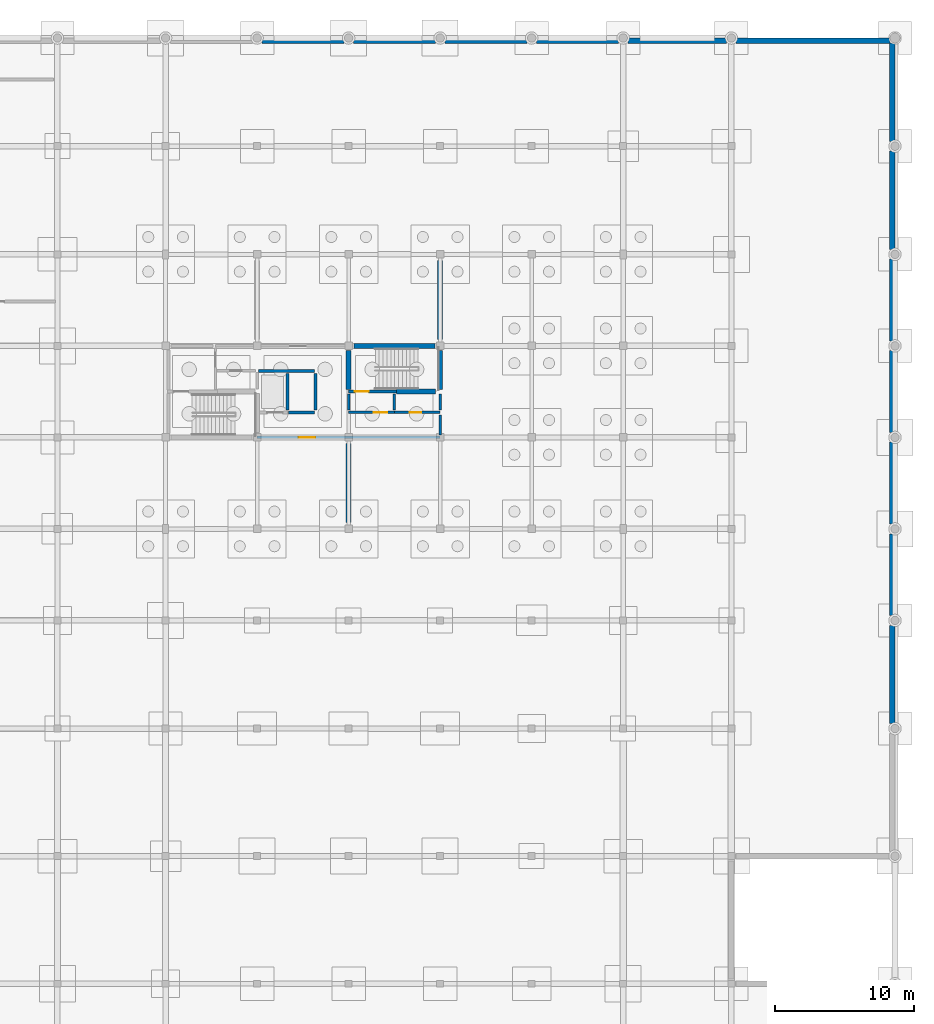
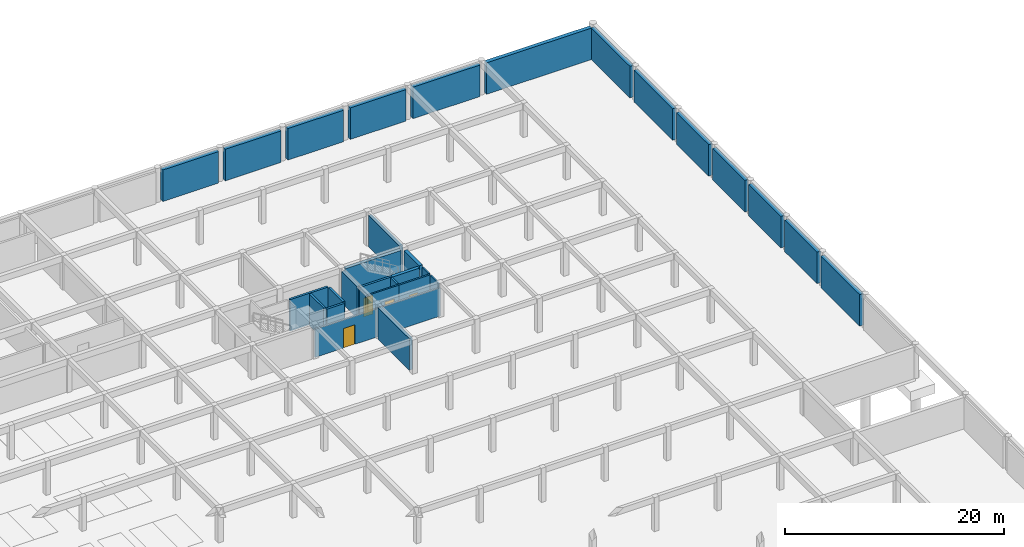
# One storey, part 31 of 37: 31 walls, 4 doors, 4 openings.
"""IFC4 building model written with IfcOpenShell, lengths in metres."""

from ifc_helpers import new_model, si_unit, direction, frame, frame_2d, origin, place, context, subcontext, project, spatial, rectangle, extrude, material, layer, layer_set, type_object, element, fill, save


model = new_model("IFC4")

# Units and contexts
model_context = context("Model", 3, precision=1e-05, world=origin(), true_north=direction((0.0, 1.0)))
body_context = subcontext(model_context, "Body", "Model", "MODEL_VIEW")
ifc_project = project(units=[si_unit("LENGTHUNIT", "METRE"), si_unit("AREAUNIT", "SQUARE_METRE"), si_unit("VOLUMEUNIT", "CUBIC_METRE"), si_unit("PLANEANGLEUNIT", "RADIAN"), si_unit("MASSUNIT", "GRAM", prefix="KILO")], contexts=[model_context])

# Site, building, storey
site_placement = place(None, origin())
site = spatial("IfcSite", under=ifc_project, at=site_placement, CompositionType="ELEMENT")
building_placement = place(site_placement, origin())
building = spatial("IfcBuilding", under=site, at=building_placement, Name="Kernevlak Ridge Housing Community", CompositionType="ELEMENT")
storey_placement = place(building_placement, frame((0.0, 0.0, -3.800048828125)))
storey = spatial("IfcBuildingStorey", under=building, at=storey_placement, Name="B1", CompositionType="ELEMENT", Elevation=-3.800048828125)

# Walls
ifc_material_1 = material(Name="Concrete C35/45", Category="concrete")
ifc_layer_1 = layer(ifc_material_1, 0.22509765625, Name="Concrete C35/45")
ifc_layer_set_1 = layer_set([ifc_layer_1], Name="Concrete C35/45")
wall_type_1 = type_object("IfcWallType", Name="PW-01", PredefinedType="STANDARD", material=ifc_layer_set_1)
wall_1_placement = place(storey_placement, frame((128.280029296875, 91.0, 0.0), z_axis=(0.0, 0.0, 1.0), x_axis=(1.0, 0.0, 0.0)))
element("IfcWall", 1, at=wall_1_placement, inside=storey, type_object=wall_type_1, Name="Interior wall PW-01 WAL-INT-B1-1141", PredefinedType="STANDARD", context=body_context, shape_type="SweptSolid", body=[
    extrude(rectangle(XDim=1.840087890625, YDim=0.22509765625, at=frame_2d((0.919921875, 0.0))), origin(), (0.0, 0.0, 1.0), 3.52001953125),
])
wall_2_placement = place(storey_placement, frame((126.097412109375, 94.0, 0.0), z_axis=(0.0, 0.0, 1.0), x_axis=(1.0, 0.0, 0.0)))
element("IfcWall", 2, at=wall_2_placement, inside=storey, type_object=wall_type_1, Name="Interior wall PW-01 WAL-INT-B1-1142", PredefinedType="STANDARD", context=body_context, shape_type="SweptSolid", body=[
    extrude(rectangle(XDim=4.022705078125, YDim=0.22509765625, at=frame_2d((2.01123046875, 0.0))), origin(), (0.0, 0.0, 1.0), 3.52001953125),
])
for number, where, z_axis, x_axis, name in (
    (3, (128.199951171875, 91.179931640625, 0.0), (0.0, 0.0, 1.0), (0.0, 1.0, 0.0), "Interior wall PW-01 WAL-INT-B1-1144"),
    (4, (130.199951171875, 91.179931640625, 0.0), (0.0, 0.0, 1.0), (0.0, 1.0, 0.0), "Interior wall PW-01 WAL-INT-B1-1145"),
):
    element("IfcWall", number, at=place(storey_placement, frame(where, z_axis=z_axis, x_axis=x_axis)), inside=storey, type_object=wall_type_1, Name=name, PredefinedType="STANDARD", context=body_context, shape_type="SweptSolid", body=[
        extrude(rectangle(XDim=2.64013671875, YDim=0.22509765625, at=frame_2d((1.320068359375, 0.0))), origin(), (0.0, 0.0, 1.0), 3.52001953125),
    ])

# Wall, opening, door
wall_3_placement = place(storey_placement, frame((132.60009765625, 92.5, 0.0), z_axis=(0.0, 0.0, 1.0), x_axis=(1.0, 0.0, 0.0)))
wall_3 = element("IfcWall", 5, at=wall_3_placement, inside=storey, type_object=wall_type_1, Name="Interior wall PW-01 WAL-INT-B1-1146", PredefinedType="STANDARD", context=body_context, shape_type="SweptSolid", body=[
    extrude(rectangle(XDim=3.449951171875, YDim=0.22509765625, at=frame_2d((1.72509765625, 0.0))), origin(), (0.0, 0.0, 1.0), 3.52001953125),
])
opening_1_placement = place(wall_3_placement, frame((0.449951171875, 0.0, 0.0)))
opening_1 = element("IfcOpeningElement", 6, at=opening_1_placement, cuts=wall_3, Name="Opening D580", PredefinedType="OPENING", context=body_context, shape_type="SweptSolid", body=[
    extrude(rectangle(XDim=1.0, YDim=2.10009765625, at=frame_2d((0.5, 1.050048828125))), frame((0.0, 0.12255859375, 0.0), z_axis=(0.0, -1.0, 0.0), x_axis=(1.0, 0.0, 0.0)), (0.0, 0.0, 1.0), 0.2451171875),
])
ifc_material_2 = material(Name="Fire-rated sheet steel leaf", Category="steel")
door_type_1 = type_object("IfcDoorType", Name="DT-05", OperationType="NOTDEFINED", PredefinedType="DOOR", material=ifc_material_2)
door_1_placement = place(opening_1_placement, origin())
door_1 = element("IfcDoor", 7, at=door_1_placement, inside=storey, type_object=door_type_1, Name="Block B Stair 2 fire door D580", OperationType="SINGLE_SWING_RIGHT", OverallHeight=2.10009765625, OverallWidth=1.0, PredefinedType="DOOR", context=body_context, shape_type="SweptSolid", body=[
    extrude(rectangle(XDim=1.0, YDim=2.10009765625, at=frame_2d((0.5, 1.050048828125))), frame((0.0, 0.02490234375, 0.0), z_axis=(0.0, -1.0, 0.0), x_axis=(1.0, 0.0, 0.0)), (0.0, 0.0, 1.0), 0.050048828125),
])
fill(opening_1, door_1)

ifc_material_3 = material(Name="Concrete block masonry M10", Category="masonry")
ifc_layer_2 = layer(ifc_material_3, 0.175048828125, Name="Concrete block masonry M10")
ifc_layer_set_2 = layer_set([ifc_layer_2], Name="Concrete block masonry M10")
wall_type_2 = type_object("IfcWallType", Name="PW-02", PredefinedType="PARTITIONING", material=ifc_layer_set_2)
wall_4_placement = place(storey_placement, frame((132.60009765625, 91.0, 0.0), z_axis=(0.0, 0.0, 1.0), x_axis=(1.0, 0.0, 0.0)))
wall_4 = element("IfcWall", 8, at=wall_4_placement, inside=storey, type_object=wall_type_2, Name="Interior wall PW-02 WAL-INT-B1-1147", PredefinedType="PARTITIONING", context=body_context, shape_type="SweptSolid", body=[
    extrude(rectangle(XDim=3.2998046875, YDim=0.175048828125, at=frame_2d((1.64990234375, 0.0))), origin(), (0.0, 0.0, 1.0), 3.52001953125),
])
opening_2_placement = place(wall_4_placement, frame((1.800048828125, 0.0, 0.0)))
opening_2 = element("IfcOpeningElement", 9, at=opening_2_placement, cuts=wall_4, Name="Opening D581", PredefinedType="OPENING", context=body_context, shape_type="SweptSolid", body=[
    extrude(rectangle(XDim=1.0, YDim=2.159912109375, at=frame_2d((0.5, 1.080078125))), frame((0.0, 0.097412109375, 0.0), z_axis=(0.0, -1.0, 0.0), x_axis=(1.0, 0.0, 0.0)), (0.0, 0.0, 1.0), 0.195068359375),
])
door_type_2 = type_object("IfcDoorType", Name="DT-15", OperationType="NOTDEFINED", PredefinedType="DOOR", material=ifc_material_2)
door_2_placement = place(opening_2_placement, origin())
door_2 = element("IfcDoor", 10, at=door_2_placement, inside=storey, type_object=door_type_2, Name="Block B Firefighting lobby 2 door D581", OperationType="SINGLE_SWING_LEFT", OverallHeight=2.159912109375, OverallWidth=1.0, PredefinedType="DOOR", context=body_context, shape_type="SweptSolid", body=[
    extrude(rectangle(XDim=1.0, YDim=2.159912109375, at=frame_2d((0.5, 1.080078125))), frame((0.0, 0.02490234375, 0.0), z_axis=(0.0, -1.0, 0.0), x_axis=(1.0, 0.0, 0.0)), (0.0, 0.0, 1.0), 0.050048828125),
])
fill(opening_2, door_2)

wall_5_placement = place(storey_placement, frame((135.89990234375, 91.0, 0.0), z_axis=(0.0, 0.0, 1.0), x_axis=(1.0, 0.0, 0.0)))
wall_5 = element("IfcWall", 11, at=wall_5_placement, inside=storey, type_object=wall_type_2, Name="Interior wall PW-02 WAL-INT-B1-1148", PredefinedType="PARTITIONING", context=body_context, shape_type="SweptSolid", body=[
    extrude(rectangle(XDim=3.300048828125, YDim=0.175048828125, at=frame_2d((1.64990234375, 0.0))), origin(), (0.0, 0.0, 1.0), 3.52001953125),
])
opening_3_placement = place(wall_5_placement, frame((1.10009765625, 0.0, 0.0)))
opening_3 = element("IfcOpeningElement", 12, at=opening_3_placement, cuts=wall_5, Name="Opening D582", PredefinedType="OPENING", context=body_context, shape_type="SweptSolid", body=[
    extrude(rectangle(XDim=0.85009765625, YDim=2.0, at=frame_2d((0.425048828125, 1.0))), frame((0.0, 0.097412109375, 0.0), z_axis=(0.0, -1.0, 0.0), x_axis=(1.0, 0.0, 0.0)), (0.0, 0.0, 1.0), 0.195068359375),
])
door_type_3 = type_object("IfcDoorType", Name="DT-07", OperationType="NOTDEFINED", PredefinedType="DOOR", material=ifc_material_2)
door_3_placement = place(opening_3_placement, origin())
door_3 = element("IfcDoor", 13, at=door_3_placement, inside=storey, type_object=door_type_3, Name="Block B Cleaner store door D582", OperationType="SINGLE_SWING_RIGHT", OverallHeight=2.0, OverallWidth=0.85009765625, PredefinedType="DOOR", context=body_context, shape_type="SweptSolid", body=[
    extrude(rectangle(XDim=0.85009765625, YDim=2.0, at=frame_2d((0.425048828125, 1.0))), frame((0.0, 0.02490234375, 0.0), z_axis=(0.0, -1.0, 0.0), x_axis=(1.0, 0.0, 0.0)), (0.0, 0.0, 1.0), 0.050048828125),
])
fill(opening_3, door_3)

# Walls
wall_6_placement = place(storey_placement, frame((132.60009765625, 91.179931640625, 0.0), z_axis=(0.0, 0.0, 1.0), x_axis=(0.0, 1.0, 0.0)))
element("IfcWall", 14, at=wall_6_placement, inside=storey, type_object=wall_type_2, Name="Interior wall PW-02 WAL-INT-B1-1149", PredefinedType="PARTITIONING", context=body_context, shape_type="SweptSolid", body=[
    extrude(rectangle(XDim=1.14013671875, YDim=0.175048828125, at=frame_2d((0.570068359375, 0.0))), origin(), (0.0, 0.0, 1.0), 3.35009765625),
])
for number, where, z_axis, x_axis, name in (
    (15, (135.89990234375, 91.179931640625, 0.0), (0.0, 0.0, 1.0), (0.0, 1.0, 0.0), "Interior wall PW-02 WAL-INT-B1-1150"),
    (16, (139.199951171875, 91.179931640625, 0.0), (0.0, 0.0, 1.0), (0.0, 1.0, 0.0), "Interior wall PW-02 WAL-INT-B1-1151"),
):
    element("IfcWall", number, at=place(storey_placement, frame(where, z_axis=z_axis, x_axis=x_axis)), inside=storey, type_object=wall_type_2, Name=name, PredefinedType="PARTITIONING", context=body_context, shape_type="SweptSolid", body=[
        extrude(rectangle(XDim=1.14013671875, YDim=0.175048828125, at=frame_2d((0.570068359375, 0.0))), origin(), (0.0, 0.0, 1.0), 3.52001953125),
    ])

# Wall, opening, door
wall_7_placement = place(storey_placement, frame((126.0, 89.199951171875, 0.0), z_axis=(0.0, 0.0, 1.0), x_axis=(1.0, 0.0, 0.0)))
wall_7 = element("IfcWall", 17, at=wall_7_placement, inside=storey, type_object=wall_type_2, Name="Interior wall PW-02 WAL-INT-B1-1152", PredefinedType="PARTITIONING", context=body_context, shape_type="SweptSolid", body=[
    extrude(rectangle(XDim=13.199951171875, YDim=0.175048828125, at=frame_2d((6.60009765625, 0.0))), origin(), (0.0, 0.0, 1.0), 3.150146484375),
])
opening_4_placement = place(wall_7_placement, frame((3.0, 0.0, 0.0)))
opening_4 = element("IfcOpeningElement", 18, at=opening_4_placement, cuts=wall_7, Name="Opening D583", PredefinedType="OPENING", context=body_context, shape_type="SweptSolid", body=[
    extrude(rectangle(XDim=1.199951171875, YDim=2.179931640625, at=frame_2d((0.60009765625, 1.08984375))), frame((0.0, 0.097412109375, 0.0), z_axis=(0.0, -1.0, 0.0), x_axis=(1.0, 0.0, 0.0)), (0.0, 0.0, 1.0), 0.195068359375),
])
door_type_4 = type_object("IfcDoorType", Name="DT-17", OperationType="NOTDEFINED", PredefinedType="DOOR", material=ifc_material_2)
door_4_placement = place(opening_4_placement, origin())
door_4 = element("IfcDoor", 19, at=door_4_placement, inside=storey, type_object=door_type_4, Name="Block B B1 car park lobby door D583", OperationType="SINGLE_SWING_LEFT", OverallHeight=2.179931640625, OverallWidth=1.199951171875, PredefinedType="DOOR", context=body_context, shape_type="SweptSolid", body=[
    extrude(rectangle(XDim=1.199951171875, YDim=2.179931640625, at=frame_2d((0.60009765625, 1.08984375))), frame((0.0, 0.02490234375, 0.0), z_axis=(0.0, -1.0, 0.0), x_axis=(1.0, 0.0, 0.0)), (0.0, 0.0, 1.0), 0.050048828125),
])
fill(opening_4, door_4)

# Walls
wall_8_placement = place(storey_placement, frame((139.199951171875, 89.3798828125, 0.0), z_axis=(0.0, 0.0, 1.0), x_axis=(0.0, 1.0, 0.0)))
element("IfcWall", 20, at=wall_8_placement, inside=storey, type_object=wall_type_2, Name="Interior wall PW-02 WAL-INT-B1-1154", PredefinedType="PARTITIONING", context=body_context, shape_type="SweptSolid", body=[
    extrude(rectangle(XDim=1.440185546875, YDim=0.175048828125, at=frame_2d((0.72021484375, 0.0))), origin(), (0.0, 0.0, 1.0), 3.52001953125),
])
ifc_material_4 = material(Name="Concrete C40/50", Category="concrete")
ifc_layer_3 = layer(ifc_material_4, 0.39990234375, Name="Concrete C40/50")
ifc_layer_set_3 = layer_set([ifc_layer_3], Name="Concrete C40/50")
wall_type_3 = type_object("IfcWallType", Name="RW-01", PredefinedType="USERDEFINED", material=ifc_layer_set_3)
wall_9_placement = place(storey_placement, frame((126.35009765625, 117.800048828125, 0.0), z_axis=(0.0, 0.0, 1.0), x_axis=(1.0, 0.0, 0.0)))
element("IfcWall", 21, at=wall_9_placement, inside=storey, type_object=wall_type_3, Name="Basement retaining wall RW-01 39", ObjectType="RETAININGWALL", PredefinedType="USERDEFINED", context=body_context, shape_type="SweptSolid", body=[
    extrude(rectangle(XDim=5.89990234375, YDim=0.39990234375, at=frame_2d((2.949951171875, 0.0))), origin(), (0.0, 0.0, 1.0), 3.52001953125),
])
wall_10_placement = place(storey_placement, frame((132.949951171875, 117.800048828125, 0.0), z_axis=(0.0, 0.0, 1.0), x_axis=(1.0, 0.0, 0.0)))
element("IfcWall", 22, at=wall_10_placement, inside=storey, type_object=wall_type_3, Name="Basement retaining wall RW-01 40", ObjectType="RETAININGWALL", PredefinedType="USERDEFINED", context=body_context, shape_type="SweptSolid", body=[
    extrude(rectangle(XDim=5.900146484375, YDim=0.39990234375, at=frame_2d((2.9501953125, 0.0))), origin(), (0.0, 0.0, 1.0), 3.52001953125),
])
wall_11_placement = place(storey_placement, frame((139.550048828125, 117.800048828125, 0.0), z_axis=(0.0, 0.0, 1.0), x_axis=(1.0, 0.0, 0.0)))
element("IfcWall", 23, at=wall_11_placement, inside=storey, type_object=wall_type_3, Name="Basement retaining wall RW-01 41", ObjectType="RETAININGWALL", PredefinedType="USERDEFINED", context=body_context, shape_type="SweptSolid", body=[
    extrude(rectangle(XDim=5.89990234375, YDim=0.39990234375, at=frame_2d((2.949951171875, 0.0))), origin(), (0.0, 0.0, 1.0), 3.52001953125),
])
wall_12_placement = place(storey_placement, frame((146.14990234375, 117.800048828125, 0.0), z_axis=(0.0, 0.0, 1.0), x_axis=(1.0, 0.0, 0.0)))
element("IfcWall", 24, at=wall_12_placement, inside=storey, type_object=wall_type_3, Name="Basement retaining wall RW-01 42", ObjectType="RETAININGWALL", PredefinedType="USERDEFINED", context=body_context, shape_type="SweptSolid", body=[
    extrude(rectangle(XDim=5.900146484375, YDim=0.39990234375, at=frame_2d((2.9501953125, 0.0))), origin(), (0.0, 0.0, 1.0), 3.52001953125),
])
wall_13_placement = place(storey_placement, frame((152.75, 117.800048828125, 0.0), z_axis=(0.0, 0.0, 1.0), x_axis=(1.0, 0.0, 0.0)))
element("IfcWall", 25, at=wall_13_placement, inside=storey, type_object=wall_type_3, Name="Basement retaining wall RW-01 43", ObjectType="RETAININGWALL", PredefinedType="USERDEFINED", context=body_context, shape_type="SweptSolid", body=[
    extrude(rectangle(XDim=7.10009765625, YDim=0.39990234375, at=frame_2d((3.550048828125, 0.0))), origin(), (0.0, 0.0, 1.0), 3.52001953125),
])
wall_14_placement = place(storey_placement, frame((160.550048828125, 117.800048828125, 0.0), z_axis=(0.0, 0.0, 1.0), x_axis=(1.0, 0.0, 0.0)))
element("IfcWall", 26, at=wall_14_placement, inside=storey, type_object=wall_type_3, Name="Basement retaining wall RW-01 44", ObjectType="RETAININGWALL", PredefinedType="USERDEFINED", context=body_context, shape_type="SweptSolid", body=[
    extrude(rectangle(XDim=11.099853515625, YDim=0.39990234375, at=frame_2d((5.5498046875, 0.0))), origin(), (0.0, 0.0, 1.0), 3.52001953125),
])
wall_15_placement = place(storey_placement, frame((171.800048828125, 68.550048828125, 0.0), z_axis=(0.0, 0.0, 1.0), x_axis=(0.0, 1.0, 0.0)))
element("IfcWall", 27, at=wall_15_placement, inside=storey, type_object=wall_type_3, Name="Basement retaining wall RW-01 69", ObjectType="RETAININGWALL", PredefinedType="USERDEFINED", context=body_context, shape_type="SweptSolid", body=[
    extrude(rectangle(XDim=7.099853515625, YDim=0.39990234375, at=frame_2d((3.5498046875, 0.0))), origin(), (0.0, 0.0, 1.0), 3.52001953125),
])
wall_16_placement = place(storey_placement, frame((171.800048828125, 76.35009765625, 0.0), z_axis=(0.0, 0.0, 1.0), x_axis=(0.0, 1.0, 0.0)))
element("IfcWall", 28, at=wall_16_placement, inside=storey, type_object=wall_type_3, Name="Basement retaining wall RW-01 70", ObjectType="RETAININGWALL", PredefinedType="USERDEFINED", context=body_context, shape_type="SweptSolid", body=[
    extrude(rectangle(XDim=5.89990234375, YDim=0.39990234375, at=frame_2d((2.949951171875, 0.0))), origin(), (0.0, 0.0, 1.0), 3.52001953125),
])
wall_17_placement = place(storey_placement, frame((171.800048828125, 82.949951171875, 0.0), z_axis=(0.0, 0.0, 1.0), x_axis=(0.0, 1.0, 0.0)))
element("IfcWall", 29, at=wall_17_placement, inside=storey, type_object=wall_type_3, Name="Basement retaining wall RW-01 71", ObjectType="RETAININGWALL", PredefinedType="USERDEFINED", context=body_context, shape_type="SweptSolid", body=[
    extrude(rectangle(XDim=5.900146484375, YDim=0.39990234375, at=frame_2d((2.9501953125, 0.0))), origin(), (0.0, 0.0, 1.0), 3.52001953125),
])
wall_18_placement = place(storey_placement, frame((171.800048828125, 89.550048828125, 0.0), z_axis=(0.0, 0.0, 1.0), x_axis=(0.0, 1.0, 0.0)))
element("IfcWall", 30, at=wall_18_placement, inside=storey, type_object=wall_type_3, Name="Basement retaining wall RW-01 72", ObjectType="RETAININGWALL", PredefinedType="USERDEFINED", context=body_context, shape_type="SweptSolid", body=[
    extrude(rectangle(XDim=5.89990234375, YDim=0.39990234375, at=frame_2d((2.949951171875, 0.0))), origin(), (0.0, 0.0, 1.0), 3.52001953125),
])
wall_19_placement = place(storey_placement, frame((171.800048828125, 96.14990234375, 0.0), z_axis=(0.0, 0.0, 1.0), x_axis=(0.0, 1.0, 0.0)))
element("IfcWall", 31, at=wall_19_placement, inside=storey, type_object=wall_type_3, Name="Basement retaining wall RW-01 73", ObjectType="RETAININGWALL", PredefinedType="USERDEFINED", context=body_context, shape_type="SweptSolid", body=[
    extrude(rectangle(XDim=5.900146484375, YDim=0.39990234375, at=frame_2d((2.9501953125, 0.0))), origin(), (0.0, 0.0, 1.0), 3.52001953125),
])
wall_20_placement = place(storey_placement, frame((171.800048828125, 102.75, 0.0), z_axis=(0.0, 0.0, 1.0), x_axis=(0.0, 1.0, 0.0)))
element("IfcWall", 32, at=wall_20_placement, inside=storey, type_object=wall_type_3, Name="Basement retaining wall RW-01 74", ObjectType="RETAININGWALL", PredefinedType="USERDEFINED", context=body_context, shape_type="SweptSolid", body=[
    extrude(rectangle(XDim=7.10009765625, YDim=0.39990234375, at=frame_2d((3.550048828125, 0.0))), origin(), (0.0, 0.0, 1.0), 3.52001953125),
])
wall_21_placement = place(storey_placement, frame((171.800048828125, 110.550048828125, 0.0), z_axis=(0.0, 0.0, 1.0), x_axis=(0.0, 1.0, 0.0)))
element("IfcWall", 33, at=wall_21_placement, inside=storey, type_object=wall_type_3, Name="Basement retaining wall RW-01 75", ObjectType="RETAININGWALL", PredefinedType="USERDEFINED", context=body_context, shape_type="SweptSolid", body=[
    extrude(rectangle(XDim=7.099853515625, YDim=0.39990234375, at=frame_2d((3.5498046875, 0.0))), origin(), (0.0, 0.0, 1.0), 3.52001953125),
])
ifc_layer_4 = layer(ifc_material_4, 0.35009765625, Name="Concrete C40/50")
ifc_layer_set_4 = layer_set([ifc_layer_4], Name="Concrete C40/50")
wall_type_4 = type_object("IfcWallType", Name="SW-01", PredefinedType="SHEAR", material=ifc_layer_set_4)
wall_22_placement = place(storey_placement, frame((132.97998046875, 95.800048828125, 0.0), z_axis=(0.0, 0.0, 1.0), x_axis=(1.0, 0.0, 0.0)))
element("IfcWall", 34, at=wall_22_placement, inside=storey, type_object=wall_type_4, Name="Shear wall SW-01 Block B B1 204", PredefinedType="SHEAR", context=body_context, shape_type="SweptSolid", body=[
    extrude(rectangle(XDim=5.840087890625, YDim=0.35009765625, at=frame_2d((2.919921875, 0.0))), origin(), (0.0, 0.0, 1.0), 3.52001953125),
])
for number, where, z_axis, x_axis, name in (
    (35, (136.050048828125, 92.5, 0.0), (0.0, 0.0, 1.0), (1.0, 0.0, 0.0), "Shear wall SW-01 Block B B1 205"),
    (36, (132.60009765625, 92.64990234375, 0.0), (0.0, 0.0, 1.0), (0.0, 1.0, 0.0), "Shear wall SW-01 Block B B1 206"),
    (37, (139.199951171875, 92.64990234375, 0.0), (0.0, 0.0, 1.0), (0.0, 1.0, 0.0), "Shear wall SW-01 Block B B1 207"),
):
    element("IfcWall", number, at=place(storey_placement, frame(where, z_axis=z_axis, x_axis=x_axis)), inside=storey, type_object=wall_type_4, Name=name, PredefinedType="SHEAR", context=body_context, shape_type="SweptSolid", body=[
        extrude(rectangle(XDim=2.800048828125, YDim=0.35009765625, at=frame_2d((1.39990234375, 0.0))), origin(), (0.0, 0.0, 1.0), 3.52001953125),
    ])
for number, where, z_axis, x_axis, name in (
    (38, (132.60009765625, 83.050048828125, 0.0), (0.0, 0.0, 1.0), (0.0, 1.0, 0.0), "Shear wall SW-01 Block B B1 208"),
    (39, (139.199951171875, 96.25, 0.0), (0.0, 0.0, 1.0), (0.0, 1.0, 0.0), "Shear wall SW-01 Block B B1 210"),
):
    element("IfcWall", number, at=place(storey_placement, frame(where, z_axis=z_axis, x_axis=x_axis)), inside=storey, type_object=wall_type_4, Name=name, PredefinedType="SHEAR", context=body_context, shape_type="SweptSolid", body=[
        extrude(rectangle(XDim=5.699951171875, YDim=0.35009765625, at=frame_2d((2.85009765625, 0.0))), origin(), (0.0, 0.0, 1.0), 3.52001953125),
    ])

save(model, "model.ifc")
